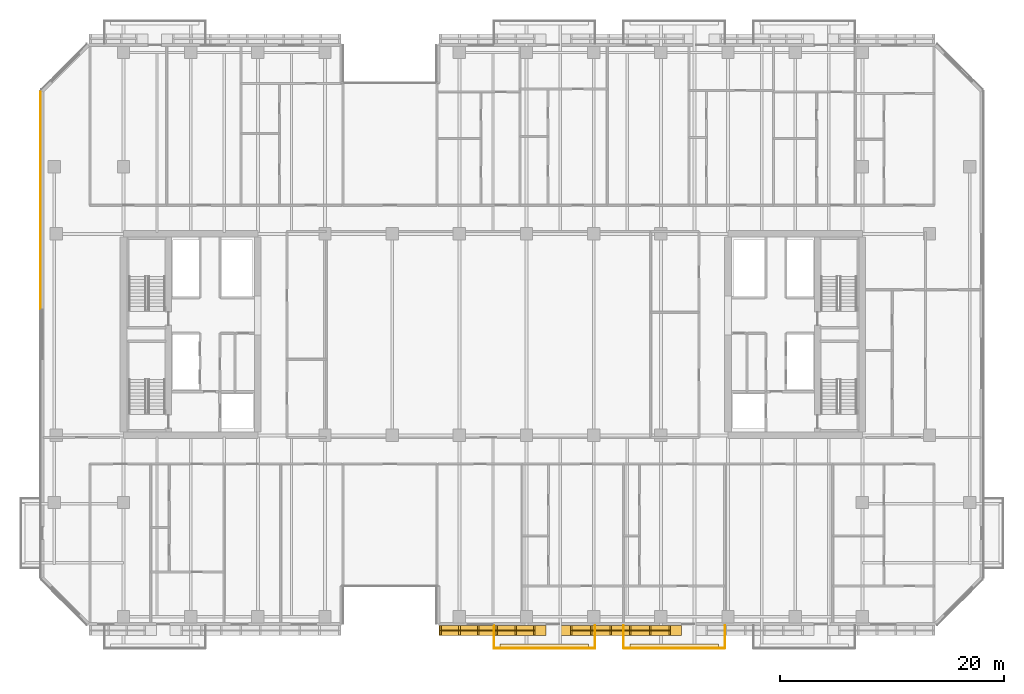
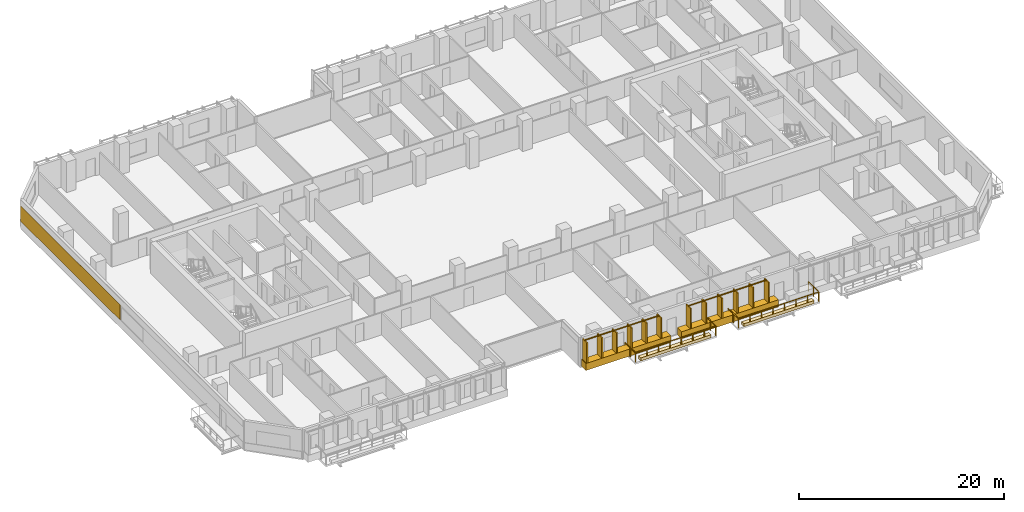
# One storey, part 21 of 26: 5 coverings, 4 railings.
"""IFC4 building model written with IfcOpenShell, lengths in metres."""

from ifc_helpers import new_model, si_unit, direction, frame, origin, origin_2d, place, context, subcontext, project, spatial, polyline, rectangle, outline, extrude, material, layer, layer_set, type_object, element, save


model = new_model("IFC4")

# Units and contexts
model_context = context("Model", 3, precision=1e-05, world=origin(), true_north=direction((0.0, 1.0)))
body_context = subcontext(model_context, "Body", "Model", "MODEL_VIEW")
ifc_project = project(units=[si_unit("LENGTHUNIT", "METRE"), si_unit("AREAUNIT", "SQUARE_METRE"), si_unit("VOLUMEUNIT", "CUBIC_METRE"), si_unit("PLANEANGLEUNIT", "RADIAN"), si_unit("MASSUNIT", "GRAM", prefix="KILO")], contexts=[model_context])

# Site, building, storey
site_placement = place(None, origin())
site = spatial("IfcSite", under=ifc_project, at=site_placement, CompositionType="ELEMENT")
building_placement = place(site_placement, origin())
building = spatial("IfcBuilding", under=site, at=building_placement, Name="Tanjung Sevakor Pilgrim Tower", CompositionType="ELEMENT")
storey_placement = place(building_placement, frame((0.0, 0.0, 66.0)))
storey = spatial("IfcBuildingStorey", under=building, at=storey_placement, Name="L18", CompositionType="ELEMENT", Elevation=66.0)

# Coverings
ifc_material_1 = material(Name="Reconstructed Limestone Cladding", Category="masonry")
ifc_layer_1 = layer(ifc_material_1, 0.044921875)
ifc_layer_set_1 = layer_set([ifc_layer_1], Name="COV-CLAD-LIMESTONE")
covering_type_1 = type_object("IfcCoveringType", Name="COV-CLAD-LIMESTONE", PredefinedType="CLADDING", material=ifc_layer_set_1)
covering_1_placement = place(storey_placement, frame((56.9599609375, 7.169921875, 0.009765625), z_axis=(0.0, 0.0, 1.0), x_axis=(1.0, 0.0, 0.0)))
element("IfcCovering", 1, at=covering_1_placement, inside=storey, type_object=covering_type_1, Name="L18 Warm Limestone Sill Spandrel EW-L18-MAIN-5-1", PredefinedType="CLADDING", context=body_context, shape_type="SweptSolid", body=[
    extrude(rectangle(XDim=9.56005859375, YDim=0.860107421875, at=origin_2d()), origin(), (0.0, 0.0, 1.0), 0.840087890625),
])
covering_2_placement = place(storey_placement, frame((68.39990234375, 7.169921875, 0.009765625), z_axis=(0.0, 0.0, 1.0), x_axis=(1.0, 0.0, 0.0)))
element("IfcCovering", 2, at=covering_2_placement, inside=storey, type_object=covering_type_1, Name="L18 Warm Limestone Sill Spandrel EW-L18-MAIN-5-2", PredefinedType="CLADDING", context=body_context, shape_type="SweptSolid", body=[
    extrude(rectangle(XDim=10.8798828125, YDim=0.860107421875, at=origin_2d()), origin(), (0.0, 0.0, 1.0), 0.840087890625),
])
covering_3_placement = place(storey_placement, frame((16.577392578125, 45.575927734375, 0.849853515625), z_axis=(0.0, 0.0, 1.0), x_axis=(0.0, -1.0, 0.0)))
element("IfcCovering", 3, at=covering_3_placement, inside=storey, type_object=covering_type_1, Name="L18 Warm Limestone Pier Panel EW-L18-MAIN-15-1", PredefinedType="CLADDING", context=body_context, shape_type="SweptSolid", body=[
    extrude(rectangle(XDim=19.451904296875, YDim=0.044921875, at=origin_2d()), origin(), (0.0, 0.0, 1.0), 1.81005859375),
])
ifc_material_2 = material(Name="Vegetated Modular Planter Assembly", Category="organic")
ifc_layer_2 = layer(ifc_material_2, 0.35009765625)
ifc_layer_set_2 = layer_set([ifc_layer_2], Name="COV-GRN-TROUGH")
covering_type_2 = type_object("IfcCoveringType", Name="COV-GRN-TROUGH", PredefinedType="CLADDING", material=ifc_layer_set_2)
covering_4_placement = place(storey_placement, origin())
element("IfcCovering", 4, at=covering_4_placement, inside=storey, type_object=covering_type_2, Name="L18 Planted Landscape Hedge Trough BGRN-L18-MAIN-S2", PredefinedType="CLADDING", context=body_context, shape_type="SweptSolid", body=[
    extrude(outline(polyline([(57.64990234375, 5.5), (65.550048828125, 5.5), (65.550048828125, 5.93994140625), (57.64990234375, 5.93994140625), (57.64990234375, 5.5)])), origin(), (0.0, 0.0, 1.0), 0.35009765625),
])
covering_5_placement = place(storey_placement, origin())
element("IfcCovering", 5, at=covering_5_placement, inside=storey, type_object=covering_type_2, Name="L18 Planted Landscape Hedge Trough BGRN-L18-MAIN-S3", PredefinedType="CLADDING", context=body_context, shape_type="SweptSolid", body=[
    extrude(outline(polyline([(69.25, 5.5), (77.14990234375, 5.5), (77.14990234375, 5.93994140625), (69.25, 5.93994140625), (69.25, 5.5)])), origin(), (0.0, 0.0, 1.0), 0.35009765625),
])

# Railings
ifc_material_3 = material(Name="Laminated Glass and Aluminium", Category="aluminium")
railing_type_1 = type_object("IfcRailingType", Name="RL-BAL-BALUST", PredefinedType="BALUSTRADE", material=ifc_material_3)
railing_1_placement = place(storey_placement, frame((57.080078125, 7.60009765625, 0.0)))
element("IfcRailing", 6, at=railing_1_placement, inside=storey, type_object=railing_type_1, Name="L18 Loggia Balustrade MAIN-S2", PredefinedType="BALUSTRADE", context=body_context, shape_type="SweptSolid", body=[
    extrude(rectangle(XDim=0.0479, YDim=0.0479), frame((0.0, 0.0, 1.1259765625), z_axis=(0.0, -1.0, 0.0), x_axis=(1.0, 0.0, 0.0)), (0.0, 0.0, 1.0), 2.02001953125),
    extrude(rectangle(XDim=0.0479, YDim=0.0479), frame((0.0, -2.02001953125, 1.1259765625), z_axis=(1.0, 0.0, 0.0), x_axis=(0.0, 1.0, 0.0)), (0.0, 0.0, 1.0), 9.0400390625),
    extrude(rectangle(XDim=0.0479, YDim=0.0479), frame((9.0400390625, -2.02001953125, 1.1259765625), z_axis=(0.0, 1.0, 0.0), x_axis=(-1.0, 0.0, 0.0)), (0.0, 0.0, 1.0), 2.02001953125),
    extrude(rectangle(XDim=0.042, YDim=0.042), origin(), (0.0, 0.0, 1.0), 1.101806640625),
    extrude(rectangle(XDim=0.042, YDim=0.042), frame((0.0, -1.010009765625, 0.0)), (0.0, 0.0, 1.0), 1.101806640625),
    extrude(rectangle(XDim=0.042, YDim=0.042), frame((0.0, -2.02001953125, 0.0)), (0.0, 0.0, 1.0), 1.101806640625),
    extrude(rectangle(XDim=0.042, YDim=0.042), frame((1.29150390625, -2.02001953125, 0.0)), (0.0, 0.0, 1.0), 1.101806640625),
    extrude(rectangle(XDim=0.042, YDim=0.042), frame((2.582763671875, -2.02001953125, 0.0)), (0.0, 0.0, 1.0), 1.101806640625),
    extrude(rectangle(XDim=0.042, YDim=0.042), frame((3.874267578125, -2.02001953125, 0.0)), (0.0, 0.0, 1.0), 1.101806640625),
    extrude(rectangle(XDim=0.042, YDim=0.042), frame((5.165771484375, -2.02001953125, 0.0)), (0.0, 0.0, 1.0), 1.101806640625),
    extrude(rectangle(XDim=0.042, YDim=0.042), frame((6.457275390625, -2.02001953125, 0.0)), (0.0, 0.0, 1.0), 1.101806640625),
    extrude(rectangle(XDim=0.042, YDim=0.042), frame((7.74853515625, -2.02001953125, 0.0)), (0.0, 0.0, 1.0), 1.101806640625),
    extrude(rectangle(XDim=0.042, YDim=0.042), frame((9.0400390625, -2.02001953125, 0.0)), (0.0, 0.0, 1.0), 1.101806640625),
    extrude(rectangle(XDim=0.042, YDim=0.042), frame((9.0400390625, -1.010009765625, 0.0)), (0.0, 0.0, 1.0), 1.101806640625),
    extrude(rectangle(XDim=0.042, YDim=0.042), frame((9.0400390625, 0.0, 0.0)), (0.0, 0.0, 1.0), 1.101806640625),
])
railing_2_placement = place(storey_placement, frame((68.679931640625, 7.60009765625, 0.0)))
element("IfcRailing", 7, at=railing_2_placement, inside=storey, type_object=railing_type_1, Name="L18 Loggia Balustrade MAIN-S3", PredefinedType="BALUSTRADE", context=body_context, shape_type="SweptSolid", body=[
    extrude(rectangle(XDim=0.0479, YDim=0.0479), frame((0.0, 0.0, 1.1259765625), z_axis=(0.0, -1.0, 0.0), x_axis=(1.0, 0.0, 0.0)), (0.0, 0.0, 1.0), 2.02001953125),
    extrude(rectangle(XDim=0.0479, YDim=0.0479), frame((0.0, -2.02001953125, 1.1259765625), z_axis=(1.0, 0.0, 0.0), x_axis=(0.0, 1.0, 0.0)), (0.0, 0.0, 1.0), 9.0400390625),
    extrude(rectangle(XDim=0.0479, YDim=0.0479), frame((9.0400390625, -2.02001953125, 1.1259765625), z_axis=(0.0, 1.0, 0.0), x_axis=(-1.0, 0.0, 0.0)), (0.0, 0.0, 1.0), 2.02001953125),
    extrude(rectangle(XDim=0.042, YDim=0.042), origin(), (0.0, 0.0, 1.0), 1.101806640625),
    extrude(rectangle(XDim=0.042, YDim=0.042), frame((0.0, -1.010009765625, 0.0)), (0.0, 0.0, 1.0), 1.101806640625),
    extrude(rectangle(XDim=0.042, YDim=0.042), frame((0.0, -2.02001953125, 0.0)), (0.0, 0.0, 1.0), 1.101806640625),
    extrude(rectangle(XDim=0.042, YDim=0.042), frame((1.29150390625, -2.02001953125, 0.0)), (0.0, 0.0, 1.0), 1.101806640625),
    extrude(rectangle(XDim=0.042, YDim=0.042), frame((2.582763671875, -2.02001953125, 0.0)), (0.0, 0.0, 1.0), 1.101806640625),
    extrude(rectangle(XDim=0.042, YDim=0.042), frame((3.874267578125, -2.02001953125, 0.0)), (0.0, 0.0, 1.0), 1.101806640625),
    extrude(rectangle(XDim=0.042, YDim=0.042), frame((5.165771484375, -2.02001953125, 0.0)), (0.0, 0.0, 1.0), 1.101806640625),
    extrude(rectangle(XDim=0.042, YDim=0.042), frame((6.457275390625, -2.02001953125, 0.0)), (0.0, 0.0, 1.0), 1.101806640625),
    extrude(rectangle(XDim=0.042, YDim=0.042), frame((7.74853515625, -2.02001953125, 0.0)), (0.0, 0.0, 1.0), 1.101806640625),
    extrude(rectangle(XDim=0.042, YDim=0.042), frame((9.0400390625, -2.02001953125, 0.0)), (0.0, 0.0, 1.0), 1.101806640625),
    extrude(rectangle(XDim=0.042, YDim=0.042), frame((9.0400390625, -1.010009765625, 0.0)), (0.0, 0.0, 1.0), 1.101806640625),
    extrude(rectangle(XDim=0.042, YDim=0.042), frame((9.0400390625, 0.0, 0.0)), (0.0, 0.0, 1.0), 1.101806640625),
])
ifc_material_4 = material(Name="Anodised Bronze Aluminium 6063-T6", Category="aluminium")
railing_type_2 = type_object("IfcRailingType", Name="RL-FIN-SCREEN", PredefinedType="BALUSTRADE", material=ifc_material_4)
railing_3_placement = place(storey_placement, frame((52.340087890625, 7.175048828125, 0.840087890625)))
element("IfcRailing", 8, at=railing_3_placement, inside=storey, type_object=railing_type_2, Name="L18 Vertical Bronze-Gold Solar Fin Screen FNSCR-EW-L18-MAIN-5-1", PredefinedType="BALUSTRADE", context=body_context, shape_type="SweptSolid", body=[
    extrude(rectangle(XDim=0.105, YDim=0.105), frame((0.0, 0.0, 2.487548828125), z_axis=(1.0, 0.0, 0.0), x_axis=(0.0, 1.0, 0.0)), (0.0, 0.0, 1.0), 8.35986328125),
    extrude(rectangle(XDim=0.14, YDim=0.85), origin(), (0.0, 0.0, 1.0), 2.43505859375),
    extrude(rectangle(XDim=0.14, YDim=0.85), frame((1.671875, 0.0, 0.0)), (0.0, 0.0, 1.0), 2.43505859375),
    extrude(rectangle(XDim=0.14, YDim=0.85), frame((3.343994140625, 0.0, 0.0)), (0.0, 0.0, 1.0), 2.43505859375),
    extrude(rectangle(XDim=0.14, YDim=0.85), frame((5.015869140625, 0.0, 0.0)), (0.0, 0.0, 1.0), 2.43505859375),
    extrude(rectangle(XDim=0.14, YDim=0.85), frame((6.68798828125, 0.0, 0.0)), (0.0, 0.0, 1.0), 2.43505859375),
    extrude(rectangle(XDim=0.14, YDim=0.85), frame((8.35986328125, 0.0, 0.0)), (0.0, 0.0, 1.0), 2.43505859375),
])
railing_4_placement = place(storey_placement, frame((64.0, 7.175048828125, 0.840087890625)))
element("IfcRailing", 9, at=railing_4_placement, inside=storey, type_object=railing_type_2, Name="L18 Vertical Bronze-Gold Solar Fin Screen FNSCR-EW-L18-MAIN-5-2", PredefinedType="BALUSTRADE", context=body_context, shape_type="SweptSolid", body=[
    extrude(rectangle(XDim=0.105, YDim=0.105), frame((0.0, 0.0, 2.487548828125), z_axis=(1.0, 0.0, 0.0), x_axis=(0.0, 1.0, 0.0)), (0.0, 0.0, 1.0), 8.800048828125),
    extrude(rectangle(XDim=0.14, YDim=0.85), origin(), (0.0, 0.0, 1.0), 2.43505859375),
    extrude(rectangle(XDim=0.14, YDim=0.85), frame((1.760009765625, 0.0, 0.0)), (0.0, 0.0, 1.0), 2.43505859375),
    extrude(rectangle(XDim=0.14, YDim=0.85), frame((3.52001953125, 0.0, 0.0)), (0.0, 0.0, 1.0), 2.43505859375),
    extrude(rectangle(XDim=0.14, YDim=0.85), frame((5.280029296875, 0.0, 0.0)), (0.0, 0.0, 1.0), 2.43505859375),
    extrude(rectangle(XDim=0.14, YDim=0.85), frame((7.0400390625, 0.0, 0.0)), (0.0, 0.0, 1.0), 2.43505859375),
    extrude(rectangle(XDim=0.14, YDim=0.85), frame((8.800048828125, 0.0, 0.0)), (0.0, 0.0, 1.0), 2.43505859375),
])

save(model, "model.ifc")
